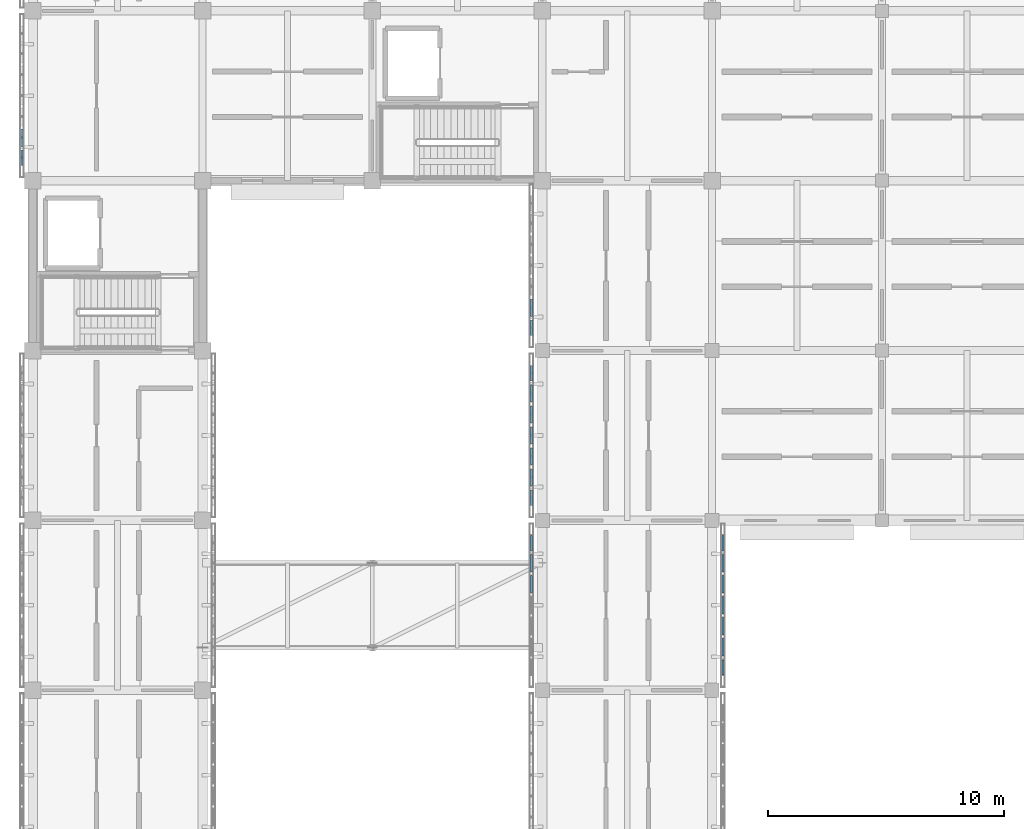
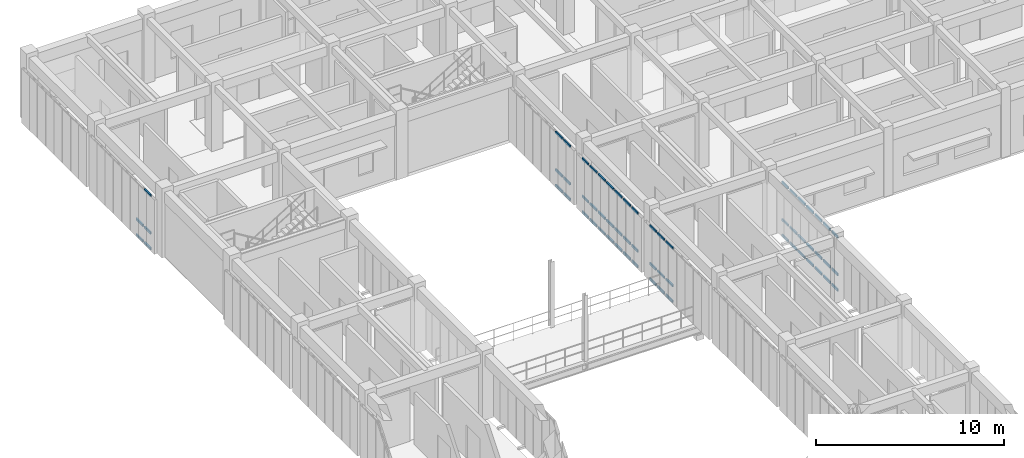
# One storey, part 81 of 171: 62 members, 5 elements without a shape of their own.
"""IFC4 building model written with IfcOpenShell, lengths in metres."""

from ifc_helpers import new_model, si_unit, direction, frame, origin, origin_2d, place, context, subcontext, project, spatial, hollow_rectangle, extrude, material, material_profile, profile_set, type_object, element, aggregate, save


model = new_model("IFC4")

# Units and contexts
model_context = context("Model", 3, precision=1e-05, world=origin(), true_north=direction((0.0, 1.0)))
body_context = subcontext(model_context, "Body", "Model", "MODEL_VIEW")
ifc_project = project(units=[si_unit("LENGTHUNIT", "METRE"), si_unit("AREAUNIT", "SQUARE_METRE"), si_unit("VOLUMEUNIT", "CUBIC_METRE"), si_unit("PLANEANGLEUNIT", "RADIAN"), si_unit("MASSUNIT", "GRAM", prefix="KILO")], contexts=[model_context])

# Site, building, storey
site_placement = place(None, origin())
site = spatial("IfcSite", under=ifc_project, at=site_placement, CompositionType="ELEMENT")
building_placement = place(site_placement, origin())
building = spatial("IfcBuilding", under=site, at=building_placement, Name="Aldebral Square Health Centre", CompositionType="ELEMENT")
storey_placement = place(building_placement, frame((0.0, 0.0, 4.5)))
storey = spatial("IfcBuildingStorey", under=building, at=storey_placement, Name="L01", CompositionType="ELEMENT", Elevation=4.5)

# Curtain wall, members
ifc_material_1 = material(Name="Aluminium and low-E solar glass", Category="aluminium")
curtain_wall_type = type_object("IfcCurtainWallType", Name="CW-FIN-SYS", PredefinedType="USERDEFINED", material=ifc_material_1)
curtain_wall_1_placement = place(storey_placement, origin())
curtain_wall_1 = element("IfcCurtainWall", 1, at=curtain_wall_1_placement, inside=storey, type_object=curtain_wall_type, Name="L01 V4 finned curtain wall L01-V4-00-14-W", ObjectType="SOLAR_CURTAIN_WALL", PredefinedType="USERDEFINED")
ifc_material_2 = material(Name="Anodised aluminium transom", Category="aluminium")
ifc_material_profile = material_profile(ifc_material_2, hollow_rectangle(XDim=0.074951171875, YDim=0.14990234375, WallThickness=0.00390625, at=origin_2d()), Name="CWT 75x150x4")
ifc_profile_set = profile_set([ifc_material_profile], Name="Anodised aluminium transom")
member_type = type_object("IfcMemberType", Name="CWT-STD", PredefinedType="USERDEFINED", material=ifc_profile_set)
member_1_placement = place(storey_placement, frame((-0.4599609375, 102.98291015625, 0.03759765625), z_axis=(0.0, -1.0, 0.0), x_axis=(1.0, 0.0, 0.0)))
member_1 = element("IfcMember", 2, at=member_1_placement, type_object=member_type, Name="CW1 transom 6.1", ObjectType="TRANSOM", PredefinedType="USERDEFINED", context=body_context, shape_type="SweptSolid", body=[
    extrude(hollow_rectangle(XDim=0.074951171875, YDim=0.14990234375, WallThickness=0.00390625, at=origin_2d()), origin(), (0.0, 0.0, 1.0), 0.7314453125),
])
member_2_placement = place(storey_placement, frame((-0.4599609375, 102.98291015625, 1.050048828125), z_axis=(0.0, -1.0, 0.0), x_axis=(1.0, 0.0, 0.0)))
member_2 = element("IfcMember", 3, at=member_2_placement, type_object=member_type, Name="CW1 transom 6.2", ObjectType="TRANSOM", PredefinedType="USERDEFINED", context=body_context, shape_type="SweptSolid", body=[
    extrude(hollow_rectangle(XDim=0.074951171875, YDim=0.14990234375, WallThickness=0.00390625, at=origin_2d()), origin(), (0.0, 0.0, 1.0), 0.7314453125),
])
member_3_placement = place(storey_placement, frame((-0.4599609375, 102.09130859375, 0.03759765625), z_axis=(0.0, -1.0, 0.0), x_axis=(1.0, 0.0, 0.0)))
member_3 = element("IfcMember", 4, at=member_3_placement, type_object=member_type, Name="CW1 transom 7.1", ObjectType="TRANSOM", PredefinedType="USERDEFINED", context=body_context, shape_type="SweptSolid", body=[
    extrude(hollow_rectangle(XDim=0.074951171875, YDim=0.14990234375, WallThickness=0.00390625, at=origin_2d()), origin(), (0.0, 0.0, 1.0), 0.6513671875),
])
member_4_placement = place(storey_placement, frame((-0.4599609375, 102.09130859375, 1.050048828125), z_axis=(0.0, -1.0, 0.0), x_axis=(1.0, 0.0, 0.0)))
member_4 = element("IfcMember", 5, at=member_4_placement, type_object=member_type, Name="CW1 transom 7.2", ObjectType="TRANSOM", PredefinedType="USERDEFINED", context=body_context, shape_type="SweptSolid", body=[
    extrude(hollow_rectangle(XDim=0.074951171875, YDim=0.14990234375, WallThickness=0.00390625, at=origin_2d()), origin(), (0.0, 0.0, 1.0), 0.6513671875),
])
member_5_placement = place(storey_placement, frame((-0.4599609375, 102.09130859375, 3.482421875), z_axis=(0.0, -1.0, 0.0), x_axis=(1.0, 0.0, 0.0)))
member_5 = element("IfcMember", 6, at=member_5_placement, type_object=member_type, Name="CW1 transom 7.3", ObjectType="TRANSOM", PredefinedType="USERDEFINED", context=body_context, shape_type="SweptSolid", body=[
    extrude(hollow_rectangle(XDim=0.074951171875, YDim=0.14990234375, WallThickness=0.00390625, at=origin_2d()), origin(), (0.0, 0.0, 1.0), 0.6513671875),
])
aggregate(curtain_wall_1, [member_1, member_2, member_3, member_4, member_5])

curtain_wall_2_placement = place(storey_placement, origin())
curtain_wall_2 = element("IfcCurtainWall", 7, at=curtain_wall_2_placement, inside=storey, type_object=curtain_wall_type, Name="L01 V4 finned curtain wall L01-V4-03-11-W", ObjectType="SOLAR_CURTAIN_WALL", PredefinedType="USERDEFINED")
member_6_placement = place(storey_placement, frame((21.139892578125, 85.760009765625, 0.03759765625), z_axis=(0.0, -1.0, 0.0), x_axis=(1.0, 0.0, 0.0)))
member_6 = element("IfcMember", 8, at=member_6_placement, type_object=member_type, Name="CW1 transom 1.1", ObjectType="TRANSOM", PredefinedType="USERDEFINED", context=body_context, shape_type="SweptSolid", body=[
    extrude(hollow_rectangle(XDim=0.074951171875, YDim=0.14990234375, WallThickness=0.00390625, at=origin_2d()), origin(), (0.0, 0.0, 1.0), 0.6513671875),
])
member_7_placement = place(storey_placement, frame((21.139892578125, 85.760009765625, 1.050048828125), z_axis=(0.0, -1.0, 0.0), x_axis=(1.0, 0.0, 0.0)))
member_7 = element("IfcMember", 9, at=member_7_placement, type_object=member_type, Name="CW1 transom 1.2", ObjectType="TRANSOM", PredefinedType="USERDEFINED", context=body_context, shape_type="SweptSolid", body=[
    extrude(hollow_rectangle(XDim=0.074951171875, YDim=0.14990234375, WallThickness=0.00390625, at=origin_2d()), origin(), (0.0, 0.0, 1.0), 0.6513671875),
])
member_8_placement = place(storey_placement, frame((21.139892578125, 85.760009765625, 3.482421875), z_axis=(0.0, -1.0, 0.0), x_axis=(1.0, 0.0, 0.0)))
member_8 = element("IfcMember", 10, at=member_8_placement, type_object=member_type, Name="CW1 transom 1.3", ObjectType="TRANSOM", PredefinedType="USERDEFINED", context=body_context, shape_type="SweptSolid", body=[
    extrude(hollow_rectangle(XDim=0.074951171875, YDim=0.14990234375, WallThickness=0.00390625, at=origin_2d()), origin(), (0.0, 0.0, 1.0), 0.6513671875),
])
member_9_placement = place(storey_placement, frame((21.139892578125, 84.948486328125, 0.03759765625), z_axis=(0.0, -1.0, 0.0), x_axis=(1.0, 0.0, 0.0)))
member_9 = element("IfcMember", 11, at=member_9_placement, type_object=member_type, Name="CW1 transom 2.1", ObjectType="TRANSOM", PredefinedType="USERDEFINED", context=body_context, shape_type="SweptSolid", body=[
    extrude(hollow_rectangle(XDim=0.074951171875, YDim=0.14990234375, WallThickness=0.00390625, at=origin_2d()), origin(), (0.0, 0.0, 1.0), 0.7314453125),
])
member_10_placement = place(storey_placement, frame((21.139892578125, 84.948486328125, 1.050048828125), z_axis=(0.0, -1.0, 0.0), x_axis=(1.0, 0.0, 0.0)))
member_10 = element("IfcMember", 12, at=member_10_placement, type_object=member_type, Name="CW1 transom 2.2", ObjectType="TRANSOM", PredefinedType="USERDEFINED", context=body_context, shape_type="SweptSolid", body=[
    extrude(hollow_rectangle(XDim=0.074951171875, YDim=0.14990234375, WallThickness=0.00390625, at=origin_2d()), origin(), (0.0, 0.0, 1.0), 0.7314453125),
])
member_11_placement = place(storey_placement, frame((21.139892578125, 84.948486328125, 3.482421875), z_axis=(0.0, -1.0, 0.0), x_axis=(1.0, 0.0, 0.0)))
member_11 = element("IfcMember", 13, at=member_11_placement, type_object=member_type, Name="CW1 transom 2.3", ObjectType="TRANSOM", PredefinedType="USERDEFINED", context=body_context, shape_type="SweptSolid", body=[
    extrude(hollow_rectangle(XDim=0.074951171875, YDim=0.14990234375, WallThickness=0.00390625, at=origin_2d()), origin(), (0.0, 0.0, 1.0), 0.7314453125),
])
member_12_placement = place(storey_placement, frame((21.139892578125, 84.05712890625, 0.03759765625), z_axis=(0.0, -1.0, 0.0), x_axis=(1.0, 0.0, 0.0)))
member_12 = element("IfcMember", 14, at=member_12_placement, type_object=member_type, Name="CW1 transom 3.1", ObjectType="TRANSOM", PredefinedType="USERDEFINED", context=body_context, shape_type="SweptSolid", body=[
    extrude(hollow_rectangle(XDim=0.074951171875, YDim=0.14990234375, WallThickness=0.00390625, at=origin_2d()), origin(), (0.0, 0.0, 1.0), 0.7314453125),
])
member_13_placement = place(storey_placement, frame((21.139892578125, 84.05712890625, 1.050048828125), z_axis=(0.0, -1.0, 0.0), x_axis=(1.0, 0.0, 0.0)))
member_13 = element("IfcMember", 15, at=member_13_placement, type_object=member_type, Name="CW1 transom 3.2", ObjectType="TRANSOM", PredefinedType="USERDEFINED", context=body_context, shape_type="SweptSolid", body=[
    extrude(hollow_rectangle(XDim=0.074951171875, YDim=0.14990234375, WallThickness=0.00390625, at=origin_2d()), origin(), (0.0, 0.0, 1.0), 0.7314453125),
])
member_14_placement = place(storey_placement, frame((21.139892578125, 84.05712890625, 3.482421875), z_axis=(0.0, -1.0, 0.0), x_axis=(1.0, 0.0, 0.0)))
member_14 = element("IfcMember", 16, at=member_14_placement, type_object=member_type, Name="CW1 transom 3.3", ObjectType="TRANSOM", PredefinedType="USERDEFINED", context=body_context, shape_type="SweptSolid", body=[
    extrude(hollow_rectangle(XDim=0.074951171875, YDim=0.14990234375, WallThickness=0.00390625, at=origin_2d()), origin(), (0.0, 0.0, 1.0), 0.7314453125),
])
aggregate(curtain_wall_2, [member_6, member_7, member_8, member_9, member_10, member_11, member_12, member_13, member_14])

curtain_wall_3_placement = place(storey_placement, origin())
curtain_wall_3 = element("IfcCurtainWall", 17, at=curtain_wall_3_placement, inside=storey, type_object=curtain_wall_type, Name="L01 V4 finned curtain wall L01-V4-03-11-E", ObjectType="SOLAR_CURTAIN_WALL", PredefinedType="USERDEFINED")
member_15_placement = place(storey_placement, frame((29.260009765625, 79.840087890625, 0.03759765625), z_axis=(0.0, 1.0, 0.0), x_axis=(-1.0, 0.0, 0.0)))
member_15 = element("IfcMember", 18, at=member_15_placement, type_object=member_type, Name="CW1 transom 1.1", ObjectType="TRANSOM", PredefinedType="USERDEFINED", context=body_context, shape_type="SweptSolid", body=[
    extrude(hollow_rectangle(XDim=0.074951171875, YDim=0.14990234375, WallThickness=0.00390625, at=origin_2d()), origin(), (0.0, 0.0, 1.0), 0.6513671875),
])
member_16_placement = place(storey_placement, frame((29.260009765625, 79.840087890625, 1.050048828125), z_axis=(0.0, 1.0, 0.0), x_axis=(-1.0, 0.0, 0.0)))
member_16 = element("IfcMember", 19, at=member_16_placement, type_object=member_type, Name="CW1 transom 1.2", ObjectType="TRANSOM", PredefinedType="USERDEFINED", context=body_context, shape_type="SweptSolid", body=[
    extrude(hollow_rectangle(XDim=0.074951171875, YDim=0.14990234375, WallThickness=0.00390625, at=origin_2d()), origin(), (0.0, 0.0, 1.0), 0.6513671875),
])
member_17_placement = place(storey_placement, frame((29.260009765625, 79.840087890625, 3.482421875), z_axis=(0.0, 1.0, 0.0), x_axis=(-1.0, 0.0, 0.0)))
member_17 = element("IfcMember", 20, at=member_17_placement, type_object=member_type, Name="CW1 transom 1.3", ObjectType="TRANSOM", PredefinedType="USERDEFINED", context=body_context, shape_type="SweptSolid", body=[
    extrude(hollow_rectangle(XDim=0.074951171875, YDim=0.14990234375, WallThickness=0.00390625, at=origin_2d()), origin(), (0.0, 0.0, 1.0), 0.6513671875),
])
member_18_placement = place(storey_placement, frame((29.260009765625, 80.6513671875, 0.03759765625), z_axis=(0.0, 1.0, 0.0), x_axis=(-1.0, 0.0, 0.0)))
member_18 = element("IfcMember", 21, at=member_18_placement, type_object=member_type, Name="CW1 transom 2.1", ObjectType="TRANSOM", PredefinedType="USERDEFINED", context=body_context, shape_type="SweptSolid", body=[
    extrude(hollow_rectangle(XDim=0.074951171875, YDim=0.14990234375, WallThickness=0.00390625, at=origin_2d()), origin(), (0.0, 0.0, 1.0), 0.7314453125),
])
member_19_placement = place(storey_placement, frame((29.260009765625, 80.6513671875, 1.050048828125), z_axis=(0.0, 1.0, 0.0), x_axis=(-1.0, 0.0, 0.0)))
member_19 = element("IfcMember", 22, at=member_19_placement, type_object=member_type, Name="CW1 transom 2.2", ObjectType="TRANSOM", PredefinedType="USERDEFINED", context=body_context, shape_type="SweptSolid", body=[
    extrude(hollow_rectangle(XDim=0.074951171875, YDim=0.14990234375, WallThickness=0.00390625, at=origin_2d()), origin(), (0.0, 0.0, 1.0), 0.7314453125),
])
member_20_placement = place(storey_placement, frame((29.260009765625, 80.6513671875, 3.482421875), z_axis=(0.0, 1.0, 0.0), x_axis=(-1.0, 0.0, 0.0)))
member_20 = element("IfcMember", 23, at=member_20_placement, type_object=member_type, Name="CW1 transom 2.3", ObjectType="TRANSOM", PredefinedType="USERDEFINED", context=body_context, shape_type="SweptSolid", body=[
    extrude(hollow_rectangle(XDim=0.074951171875, YDim=0.14990234375, WallThickness=0.00390625, at=origin_2d()), origin(), (0.0, 0.0, 1.0), 0.7314453125),
])
member_21_placement = place(storey_placement, frame((29.260009765625, 81.54296875, 0.03759765625), z_axis=(0.0, 1.0, 0.0), x_axis=(-1.0, 0.0, 0.0)))
member_21 = element("IfcMember", 24, at=member_21_placement, type_object=member_type, Name="CW1 transom 3.1", ObjectType="TRANSOM", PredefinedType="USERDEFINED", context=body_context, shape_type="SweptSolid", body=[
    extrude(hollow_rectangle(XDim=0.074951171875, YDim=0.14990234375, WallThickness=0.00390625, at=origin_2d()), origin(), (0.0, 0.0, 1.0), 0.731201171875),
])
member_22_placement = place(storey_placement, frame((29.260009765625, 81.54296875, 1.050048828125), z_axis=(0.0, 1.0, 0.0), x_axis=(-1.0, 0.0, 0.0)))
member_22 = element("IfcMember", 25, at=member_22_placement, type_object=member_type, Name="CW1 transom 3.2", ObjectType="TRANSOM", PredefinedType="USERDEFINED", context=body_context, shape_type="SweptSolid", body=[
    extrude(hollow_rectangle(XDim=0.074951171875, YDim=0.14990234375, WallThickness=0.00390625, at=origin_2d()), origin(), (0.0, 0.0, 1.0), 0.731201171875),
])
member_23_placement = place(storey_placement, frame((29.260009765625, 81.54296875, 3.482421875), z_axis=(0.0, 1.0, 0.0), x_axis=(-1.0, 0.0, 0.0)))
member_23 = element("IfcMember", 26, at=member_23_placement, type_object=member_type, Name="CW1 transom 3.3", ObjectType="TRANSOM", PredefinedType="USERDEFINED", context=body_context, shape_type="SweptSolid", body=[
    extrude(hollow_rectangle(XDim=0.074951171875, YDim=0.14990234375, WallThickness=0.00390625, at=origin_2d()), origin(), (0.0, 0.0, 1.0), 0.731201171875),
])
member_24_placement = place(storey_placement, frame((29.260009765625, 82.434326171875, 0.03759765625), z_axis=(0.0, 1.0, 0.0), x_axis=(-1.0, 0.0, 0.0)))
member_24 = element("IfcMember", 27, at=member_24_placement, type_object=member_type, Name="CW1 transom 4.1", ObjectType="TRANSOM", PredefinedType="USERDEFINED", context=body_context, shape_type="SweptSolid", body=[
    extrude(hollow_rectangle(XDim=0.074951171875, YDim=0.14990234375, WallThickness=0.00390625, at=origin_2d()), origin(), (0.0, 0.0, 1.0), 0.7314453125),
])
member_25_placement = place(storey_placement, frame((29.260009765625, 82.434326171875, 1.050048828125), z_axis=(0.0, 1.0, 0.0), x_axis=(-1.0, 0.0, 0.0)))
member_25 = element("IfcMember", 28, at=member_25_placement, type_object=member_type, Name="CW1 transom 4.2", ObjectType="TRANSOM", PredefinedType="USERDEFINED", context=body_context, shape_type="SweptSolid", body=[
    extrude(hollow_rectangle(XDim=0.074951171875, YDim=0.14990234375, WallThickness=0.00390625, at=origin_2d()), origin(), (0.0, 0.0, 1.0), 0.7314453125),
])
member_26_placement = place(storey_placement, frame((29.260009765625, 82.434326171875, 3.482421875), z_axis=(0.0, 1.0, 0.0), x_axis=(-1.0, 0.0, 0.0)))
member_26 = element("IfcMember", 29, at=member_26_placement, type_object=member_type, Name="CW1 transom 4.3", ObjectType="TRANSOM", PredefinedType="USERDEFINED", context=body_context, shape_type="SweptSolid", body=[
    extrude(hollow_rectangle(XDim=0.074951171875, YDim=0.14990234375, WallThickness=0.00390625, at=origin_2d()), origin(), (0.0, 0.0, 1.0), 0.7314453125),
])
member_27_placement = place(storey_placement, frame((29.260009765625, 83.32568359375, 0.03759765625), z_axis=(0.0, 1.0, 0.0), x_axis=(-1.0, 0.0, 0.0)))
member_27 = element("IfcMember", 30, at=member_27_placement, type_object=member_type, Name="CW1 transom 5.1", ObjectType="TRANSOM", PredefinedType="USERDEFINED", context=body_context, shape_type="SweptSolid", body=[
    extrude(hollow_rectangle(XDim=0.074951171875, YDim=0.14990234375, WallThickness=0.00390625, at=origin_2d()), origin(), (0.0, 0.0, 1.0), 0.7314453125),
])
member_28_placement = place(storey_placement, frame((29.260009765625, 83.32568359375, 1.050048828125), z_axis=(0.0, 1.0, 0.0), x_axis=(-1.0, 0.0, 0.0)))
member_28 = element("IfcMember", 31, at=member_28_placement, type_object=member_type, Name="CW1 transom 5.2", ObjectType="TRANSOM", PredefinedType="USERDEFINED", context=body_context, shape_type="SweptSolid", body=[
    extrude(hollow_rectangle(XDim=0.074951171875, YDim=0.14990234375, WallThickness=0.00390625, at=origin_2d()), origin(), (0.0, 0.0, 1.0), 0.7314453125),
])
member_29_placement = place(storey_placement, frame((29.260009765625, 83.32568359375, 3.482421875), z_axis=(0.0, 1.0, 0.0), x_axis=(-1.0, 0.0, 0.0)))
member_29 = element("IfcMember", 32, at=member_29_placement, type_object=member_type, Name="CW1 transom 5.3", ObjectType="TRANSOM", PredefinedType="USERDEFINED", context=body_context, shape_type="SweptSolid", body=[
    extrude(hollow_rectangle(XDim=0.074951171875, YDim=0.14990234375, WallThickness=0.00390625, at=origin_2d()), origin(), (0.0, 0.0, 1.0), 0.7314453125),
])
member_30_placement = place(storey_placement, frame((29.260009765625, 84.217041015625, 0.03759765625), z_axis=(0.0, 1.0, 0.0), x_axis=(-1.0, 0.0, 0.0)))
member_30 = element("IfcMember", 33, at=member_30_placement, type_object=member_type, Name="CW1 transom 6.1", ObjectType="TRANSOM", PredefinedType="USERDEFINED", context=body_context, shape_type="SweptSolid", body=[
    extrude(hollow_rectangle(XDim=0.074951171875, YDim=0.14990234375, WallThickness=0.00390625, at=origin_2d()), origin(), (0.0, 0.0, 1.0), 0.7314453125),
])
member_31_placement = place(storey_placement, frame((29.260009765625, 84.217041015625, 1.050048828125), z_axis=(0.0, 1.0, 0.0), x_axis=(-1.0, 0.0, 0.0)))
member_31 = element("IfcMember", 34, at=member_31_placement, type_object=member_type, Name="CW1 transom 6.2", ObjectType="TRANSOM", PredefinedType="USERDEFINED", context=body_context, shape_type="SweptSolid", body=[
    extrude(hollow_rectangle(XDim=0.074951171875, YDim=0.14990234375, WallThickness=0.00390625, at=origin_2d()), origin(), (0.0, 0.0, 1.0), 0.7314453125),
])
member_32_placement = place(storey_placement, frame((29.260009765625, 84.217041015625, 3.482421875), z_axis=(0.0, 1.0, 0.0), x_axis=(-1.0, 0.0, 0.0)))
member_32 = element("IfcMember", 35, at=member_32_placement, type_object=member_type, Name="CW1 transom 6.3", ObjectType="TRANSOM", PredefinedType="USERDEFINED", context=body_context, shape_type="SweptSolid", body=[
    extrude(hollow_rectangle(XDim=0.074951171875, YDim=0.14990234375, WallThickness=0.00390625, at=origin_2d()), origin(), (0.0, 0.0, 1.0), 0.7314453125),
])
member_33_placement = place(storey_placement, frame((29.260009765625, 85.108642578125, 0.03759765625), z_axis=(0.0, 1.0, 0.0), x_axis=(-1.0, 0.0, 0.0)))
member_33 = element("IfcMember", 36, at=member_33_placement, type_object=member_type, Name="CW1 transom 7.1", ObjectType="TRANSOM", PredefinedType="USERDEFINED", context=body_context, shape_type="SweptSolid", body=[
    extrude(hollow_rectangle(XDim=0.074951171875, YDim=0.14990234375, WallThickness=0.00390625, at=origin_2d()), origin(), (0.0, 0.0, 1.0), 0.6513671875),
])
member_34_placement = place(storey_placement, frame((29.260009765625, 85.108642578125, 1.050048828125), z_axis=(0.0, 1.0, 0.0), x_axis=(-1.0, 0.0, 0.0)))
member_34 = element("IfcMember", 37, at=member_34_placement, type_object=member_type, Name="CW1 transom 7.2", ObjectType="TRANSOM", PredefinedType="USERDEFINED", context=body_context, shape_type="SweptSolid", body=[
    extrude(hollow_rectangle(XDim=0.074951171875, YDim=0.14990234375, WallThickness=0.00390625, at=origin_2d()), origin(), (0.0, 0.0, 1.0), 0.6513671875),
])
member_35_placement = place(storey_placement, frame((29.260009765625, 85.108642578125, 3.482421875), z_axis=(0.0, 1.0, 0.0), x_axis=(-1.0, 0.0, 0.0)))
member_35 = element("IfcMember", 38, at=member_35_placement, type_object=member_type, Name="CW1 transom 7.3", ObjectType="TRANSOM", PredefinedType="USERDEFINED", context=body_context, shape_type="SweptSolid", body=[
    extrude(hollow_rectangle(XDim=0.074951171875, YDim=0.14990234375, WallThickness=0.00390625, at=origin_2d()), origin(), (0.0, 0.0, 1.0), 0.6513671875),
])
aggregate(curtain_wall_3, [member_15, member_16, member_17, member_18, member_19, member_20, member_21, member_22, member_23, member_24, member_25, member_26, member_27, member_28, member_29, member_30, member_31, member_32, member_33, member_34, member_35])

curtain_wall_4_placement = place(storey_placement, origin())
curtain_wall_4 = element("IfcCurtainWall", 39, at=curtain_wall_4_placement, inside=storey, type_object=curtain_wall_type, Name="L01 V4 finned curtain wall L01-V4-03-12-W", ObjectType="SOLAR_CURTAIN_WALL", PredefinedType="USERDEFINED")
member_36_placement = place(storey_placement, frame((21.139892578125, 92.9599609375, 0.03759765625), z_axis=(0.0, -1.0, 0.0), x_axis=(1.0, 0.0, 0.0)))
member_36 = element("IfcMember", 40, at=member_36_placement, type_object=member_type, Name="CW1 transom 1.1", ObjectType="TRANSOM", PredefinedType="USERDEFINED", context=body_context, shape_type="SweptSolid", body=[
    extrude(hollow_rectangle(XDim=0.074951171875, YDim=0.14990234375, WallThickness=0.00390625, at=origin_2d()), origin(), (0.0, 0.0, 1.0), 0.6513671875),
])
member_37_placement = place(storey_placement, frame((21.139892578125, 92.9599609375, 1.050048828125), z_axis=(0.0, -1.0, 0.0), x_axis=(1.0, 0.0, 0.0)))
member_37 = element("IfcMember", 41, at=member_37_placement, type_object=member_type, Name="CW1 transom 1.2", ObjectType="TRANSOM", PredefinedType="USERDEFINED", context=body_context, shape_type="SweptSolid", body=[
    extrude(hollow_rectangle(XDim=0.074951171875, YDim=0.14990234375, WallThickness=0.00390625, at=origin_2d()), origin(), (0.0, 0.0, 1.0), 0.6513671875),
])
member_38_placement = place(storey_placement, frame((21.139892578125, 92.9599609375, 3.482421875), z_axis=(0.0, -1.0, 0.0), x_axis=(1.0, 0.0, 0.0)))
member_38 = element("IfcMember", 42, at=member_38_placement, type_object=member_type, Name="CW1 transom 1.3", ObjectType="TRANSOM", PredefinedType="USERDEFINED", context=body_context, shape_type="SweptSolid", body=[
    extrude(hollow_rectangle(XDim=0.074951171875, YDim=0.14990234375, WallThickness=0.00390625, at=origin_2d()), origin(), (0.0, 0.0, 1.0), 0.6513671875),
])
member_39_placement = place(storey_placement, frame((21.139892578125, 92.148681640625, 0.03759765625), z_axis=(0.0, -1.0, 0.0), x_axis=(1.0, 0.0, 0.0)))
member_39 = element("IfcMember", 43, at=member_39_placement, type_object=member_type, Name="CW1 transom 2.1", ObjectType="TRANSOM", PredefinedType="USERDEFINED", context=body_context, shape_type="SweptSolid", body=[
    extrude(hollow_rectangle(XDim=0.074951171875, YDim=0.14990234375, WallThickness=0.00390625, at=origin_2d()), origin(), (0.0, 0.0, 1.0), 0.7314453125),
])
member_40_placement = place(storey_placement, frame((21.139892578125, 92.148681640625, 1.050048828125), z_axis=(0.0, -1.0, 0.0), x_axis=(1.0, 0.0, 0.0)))
member_40 = element("IfcMember", 44, at=member_40_placement, type_object=member_type, Name="CW1 transom 2.2", ObjectType="TRANSOM", PredefinedType="USERDEFINED", context=body_context, shape_type="SweptSolid", body=[
    extrude(hollow_rectangle(XDim=0.074951171875, YDim=0.14990234375, WallThickness=0.00390625, at=origin_2d()), origin(), (0.0, 0.0, 1.0), 0.7314453125),
])
member_41_placement = place(storey_placement, frame((21.139892578125, 92.148681640625, 3.482421875), z_axis=(0.0, -1.0, 0.0), x_axis=(1.0, 0.0, 0.0)))
member_41 = element("IfcMember", 45, at=member_41_placement, type_object=member_type, Name="CW1 transom 2.3", ObjectType="TRANSOM", PredefinedType="USERDEFINED", context=body_context, shape_type="SweptSolid", body=[
    extrude(hollow_rectangle(XDim=0.074951171875, YDim=0.14990234375, WallThickness=0.00390625, at=origin_2d()), origin(), (0.0, 0.0, 1.0), 0.7314453125),
])
member_42_placement = place(storey_placement, frame((21.139892578125, 91.257080078125, 0.03759765625), z_axis=(0.0, -1.0, 0.0), x_axis=(1.0, 0.0, 0.0)))
member_42 = element("IfcMember", 46, at=member_42_placement, type_object=member_type, Name="CW1 transom 3.1", ObjectType="TRANSOM", PredefinedType="USERDEFINED", context=body_context, shape_type="SweptSolid", body=[
    extrude(hollow_rectangle(XDim=0.074951171875, YDim=0.14990234375, WallThickness=0.00390625, at=origin_2d()), origin(), (0.0, 0.0, 1.0), 0.7314453125),
])
member_43_placement = place(storey_placement, frame((21.139892578125, 91.257080078125, 1.050048828125), z_axis=(0.0, -1.0, 0.0), x_axis=(1.0, 0.0, 0.0)))
member_43 = element("IfcMember", 47, at=member_43_placement, type_object=member_type, Name="CW1 transom 3.2", ObjectType="TRANSOM", PredefinedType="USERDEFINED", context=body_context, shape_type="SweptSolid", body=[
    extrude(hollow_rectangle(XDim=0.074951171875, YDim=0.14990234375, WallThickness=0.00390625, at=origin_2d()), origin(), (0.0, 0.0, 1.0), 0.7314453125),
])
member_44_placement = place(storey_placement, frame((21.139892578125, 91.257080078125, 3.482421875), z_axis=(0.0, -1.0, 0.0), x_axis=(1.0, 0.0, 0.0)))
member_44 = element("IfcMember", 48, at=member_44_placement, type_object=member_type, Name="CW1 transom 3.3", ObjectType="TRANSOM", PredefinedType="USERDEFINED", context=body_context, shape_type="SweptSolid", body=[
    extrude(hollow_rectangle(XDim=0.074951171875, YDim=0.14990234375, WallThickness=0.00390625, at=origin_2d()), origin(), (0.0, 0.0, 1.0), 0.7314453125),
])
member_45_placement = place(storey_placement, frame((21.139892578125, 90.36572265625, 0.03759765625), z_axis=(0.0, -1.0, 0.0), x_axis=(1.0, 0.0, 0.0)))
member_45 = element("IfcMember", 49, at=member_45_placement, type_object=member_type, Name="CW1 transom 4.1", ObjectType="TRANSOM", PredefinedType="USERDEFINED", context=body_context, shape_type="SweptSolid", body=[
    extrude(hollow_rectangle(XDim=0.074951171875, YDim=0.14990234375, WallThickness=0.00390625, at=origin_2d()), origin(), (0.0, 0.0, 1.0), 0.7314453125),
])
member_46_placement = place(storey_placement, frame((21.139892578125, 90.36572265625, 1.050048828125), z_axis=(0.0, -1.0, 0.0), x_axis=(1.0, 0.0, 0.0)))
member_46 = element("IfcMember", 50, at=member_46_placement, type_object=member_type, Name="CW1 transom 4.2", ObjectType="TRANSOM", PredefinedType="USERDEFINED", context=body_context, shape_type="SweptSolid", body=[
    extrude(hollow_rectangle(XDim=0.074951171875, YDim=0.14990234375, WallThickness=0.00390625, at=origin_2d()), origin(), (0.0, 0.0, 1.0), 0.7314453125),
])
member_47_placement = place(storey_placement, frame((21.139892578125, 90.36572265625, 3.482421875), z_axis=(0.0, -1.0, 0.0), x_axis=(1.0, 0.0, 0.0)))
member_47 = element("IfcMember", 51, at=member_47_placement, type_object=member_type, Name="CW1 transom 4.3", ObjectType="TRANSOM", PredefinedType="USERDEFINED", context=body_context, shape_type="SweptSolid", body=[
    extrude(hollow_rectangle(XDim=0.074951171875, YDim=0.14990234375, WallThickness=0.00390625, at=origin_2d()), origin(), (0.0, 0.0, 1.0), 0.7314453125),
])
member_48_placement = place(storey_placement, frame((21.139892578125, 89.474365234375, 0.03759765625), z_axis=(0.0, -1.0, 0.0), x_axis=(1.0, 0.0, 0.0)))
member_48 = element("IfcMember", 52, at=member_48_placement, type_object=member_type, Name="CW1 transom 5.1", ObjectType="TRANSOM", PredefinedType="USERDEFINED", context=body_context, shape_type="SweptSolid", body=[
    extrude(hollow_rectangle(XDim=0.074951171875, YDim=0.14990234375, WallThickness=0.00390625, at=origin_2d()), origin(), (0.0, 0.0, 1.0), 0.7314453125),
])
member_49_placement = place(storey_placement, frame((21.139892578125, 89.474365234375, 1.050048828125), z_axis=(0.0, -1.0, 0.0), x_axis=(1.0, 0.0, 0.0)))
member_49 = element("IfcMember", 53, at=member_49_placement, type_object=member_type, Name="CW1 transom 5.2", ObjectType="TRANSOM", PredefinedType="USERDEFINED", context=body_context, shape_type="SweptSolid", body=[
    extrude(hollow_rectangle(XDim=0.074951171875, YDim=0.14990234375, WallThickness=0.00390625, at=origin_2d()), origin(), (0.0, 0.0, 1.0), 0.7314453125),
])
member_50_placement = place(storey_placement, frame((21.139892578125, 89.474365234375, 3.482421875), z_axis=(0.0, -1.0, 0.0), x_axis=(1.0, 0.0, 0.0)))
member_50 = element("IfcMember", 54, at=member_50_placement, type_object=member_type, Name="CW1 transom 5.3", ObjectType="TRANSOM", PredefinedType="USERDEFINED", context=body_context, shape_type="SweptSolid", body=[
    extrude(hollow_rectangle(XDim=0.074951171875, YDim=0.14990234375, WallThickness=0.00390625, at=origin_2d()), origin(), (0.0, 0.0, 1.0), 0.7314453125),
])
member_51_placement = place(storey_placement, frame((21.139892578125, 88.582763671875, 0.03759765625), z_axis=(0.0, -1.0, 0.0), x_axis=(1.0, 0.0, 0.0)))
member_51 = element("IfcMember", 55, at=member_51_placement, type_object=member_type, Name="CW1 transom 6.1", ObjectType="TRANSOM", PredefinedType="USERDEFINED", context=body_context, shape_type="SweptSolid", body=[
    extrude(hollow_rectangle(XDim=0.074951171875, YDim=0.14990234375, WallThickness=0.00390625, at=origin_2d()), origin(), (0.0, 0.0, 1.0), 0.7314453125),
])
member_52_placement = place(storey_placement, frame((21.139892578125, 88.582763671875, 1.050048828125), z_axis=(0.0, -1.0, 0.0), x_axis=(1.0, 0.0, 0.0)))
member_52 = element("IfcMember", 56, at=member_52_placement, type_object=member_type, Name="CW1 transom 6.2", ObjectType="TRANSOM", PredefinedType="USERDEFINED", context=body_context, shape_type="SweptSolid", body=[
    extrude(hollow_rectangle(XDim=0.074951171875, YDim=0.14990234375, WallThickness=0.00390625, at=origin_2d()), origin(), (0.0, 0.0, 1.0), 0.7314453125),
])
member_53_placement = place(storey_placement, frame((21.139892578125, 88.582763671875, 3.482421875), z_axis=(0.0, -1.0, 0.0), x_axis=(1.0, 0.0, 0.0)))
member_53 = element("IfcMember", 57, at=member_53_placement, type_object=member_type, Name="CW1 transom 6.3", ObjectType="TRANSOM", PredefinedType="USERDEFINED", context=body_context, shape_type="SweptSolid", body=[
    extrude(hollow_rectangle(XDim=0.074951171875, YDim=0.14990234375, WallThickness=0.00390625, at=origin_2d()), origin(), (0.0, 0.0, 1.0), 0.7314453125),
])
member_54_placement = place(storey_placement, frame((21.139892578125, 87.69140625, 0.03759765625), z_axis=(0.0, -1.0, 0.0), x_axis=(1.0, 0.0, 0.0)))
member_54 = element("IfcMember", 58, at=member_54_placement, type_object=member_type, Name="CW1 transom 7.1", ObjectType="TRANSOM", PredefinedType="USERDEFINED", context=body_context, shape_type="SweptSolid", body=[
    extrude(hollow_rectangle(XDim=0.074951171875, YDim=0.14990234375, WallThickness=0.00390625, at=origin_2d()), origin(), (0.0, 0.0, 1.0), 0.6513671875),
])
member_55_placement = place(storey_placement, frame((21.139892578125, 87.69140625, 1.050048828125), z_axis=(0.0, -1.0, 0.0), x_axis=(1.0, 0.0, 0.0)))
member_55 = element("IfcMember", 59, at=member_55_placement, type_object=member_type, Name="CW1 transom 7.2", ObjectType="TRANSOM", PredefinedType="USERDEFINED", context=body_context, shape_type="SweptSolid", body=[
    extrude(hollow_rectangle(XDim=0.074951171875, YDim=0.14990234375, WallThickness=0.00390625, at=origin_2d()), origin(), (0.0, 0.0, 1.0), 0.6513671875),
])
member_56_placement = place(storey_placement, frame((21.139892578125, 87.69140625, 3.482421875), z_axis=(0.0, -1.0, 0.0), x_axis=(1.0, 0.0, 0.0)))
member_56 = element("IfcMember", 60, at=member_56_placement, type_object=member_type, Name="CW1 transom 7.3", ObjectType="TRANSOM", PredefinedType="USERDEFINED", context=body_context, shape_type="SweptSolid", body=[
    extrude(hollow_rectangle(XDim=0.074951171875, YDim=0.14990234375, WallThickness=0.00390625, at=origin_2d()), origin(), (0.0, 0.0, 1.0), 0.6513671875),
])
aggregate(curtain_wall_4, [member_36, member_37, member_38, member_39, member_40, member_41, member_42, member_43, member_44, member_45, member_46, member_47, member_48, member_49, member_50, member_51, member_52, member_53, member_54, member_55, member_56])

curtain_wall_5_placement = place(storey_placement, origin())
curtain_wall_5 = element("IfcCurtainWall", 61, at=curtain_wall_5_placement, inside=storey, type_object=curtain_wall_type, Name="L01 V4 finned curtain wall L01-V4-03-13-W", ObjectType="SOLAR_CURTAIN_WALL", PredefinedType="USERDEFINED")
member_57_placement = place(storey_placement, frame((21.139892578125, 95.782958984375, 0.03759765625), z_axis=(0.0, -1.0, 0.0), x_axis=(1.0, 0.0, 0.0)))
member_57 = element("IfcMember", 62, at=member_57_placement, type_object=member_type, Name="CW1 transom 6.1", ObjectType="TRANSOM", PredefinedType="USERDEFINED", context=body_context, shape_type="SweptSolid", body=[
    extrude(hollow_rectangle(XDim=0.074951171875, YDim=0.14990234375, WallThickness=0.00390625, at=origin_2d()), origin(), (0.0, 0.0, 1.0), 0.7314453125),
])
member_58_placement = place(storey_placement, frame((21.139892578125, 95.782958984375, 1.050048828125), z_axis=(0.0, -1.0, 0.0), x_axis=(1.0, 0.0, 0.0)))
member_58 = element("IfcMember", 63, at=member_58_placement, type_object=member_type, Name="CW1 transom 6.2", ObjectType="TRANSOM", PredefinedType="USERDEFINED", context=body_context, shape_type="SweptSolid", body=[
    extrude(hollow_rectangle(XDim=0.074951171875, YDim=0.14990234375, WallThickness=0.00390625, at=origin_2d()), origin(), (0.0, 0.0, 1.0), 0.7314453125),
])
member_59_placement = place(storey_placement, frame((21.139892578125, 95.782958984375, 3.482421875), z_axis=(0.0, -1.0, 0.0), x_axis=(1.0, 0.0, 0.0)))
member_59 = element("IfcMember", 64, at=member_59_placement, type_object=member_type, Name="CW1 transom 6.3", ObjectType="TRANSOM", PredefinedType="USERDEFINED", context=body_context, shape_type="SweptSolid", body=[
    extrude(hollow_rectangle(XDim=0.074951171875, YDim=0.14990234375, WallThickness=0.00390625, at=origin_2d()), origin(), (0.0, 0.0, 1.0), 0.7314453125),
])
member_60_placement = place(storey_placement, frame((21.139892578125, 94.891357421875, 0.03759765625), z_axis=(0.0, -1.0, 0.0), x_axis=(1.0, 0.0, 0.0)))
member_60 = element("IfcMember", 65, at=member_60_placement, type_object=member_type, Name="CW1 transom 7.1", ObjectType="TRANSOM", PredefinedType="USERDEFINED", context=body_context, shape_type="SweptSolid", body=[
    extrude(hollow_rectangle(XDim=0.074951171875, YDim=0.14990234375, WallThickness=0.00390625, at=origin_2d()), origin(), (0.0, 0.0, 1.0), 0.6513671875),
])
member_61_placement = place(storey_placement, frame((21.139892578125, 94.891357421875, 1.050048828125), z_axis=(0.0, -1.0, 0.0), x_axis=(1.0, 0.0, 0.0)))
member_61 = element("IfcMember", 66, at=member_61_placement, type_object=member_type, Name="CW1 transom 7.2", ObjectType="TRANSOM", PredefinedType="USERDEFINED", context=body_context, shape_type="SweptSolid", body=[
    extrude(hollow_rectangle(XDim=0.074951171875, YDim=0.14990234375, WallThickness=0.00390625, at=origin_2d()), origin(), (0.0, 0.0, 1.0), 0.6513671875),
])
member_62_placement = place(storey_placement, frame((21.139892578125, 94.891357421875, 3.482421875), z_axis=(0.0, -1.0, 0.0), x_axis=(1.0, 0.0, 0.0)))
member_62 = element("IfcMember", 67, at=member_62_placement, type_object=member_type, Name="CW1 transom 7.3", ObjectType="TRANSOM", PredefinedType="USERDEFINED", context=body_context, shape_type="SweptSolid", body=[
    extrude(hollow_rectangle(XDim=0.074951171875, YDim=0.14990234375, WallThickness=0.00390625, at=origin_2d()), origin(), (0.0, 0.0, 1.0), 0.6513671875),
])
aggregate(curtain_wall_5, [member_57, member_58, member_59, member_60, member_61, member_62])

save(model, "model.ifc")
